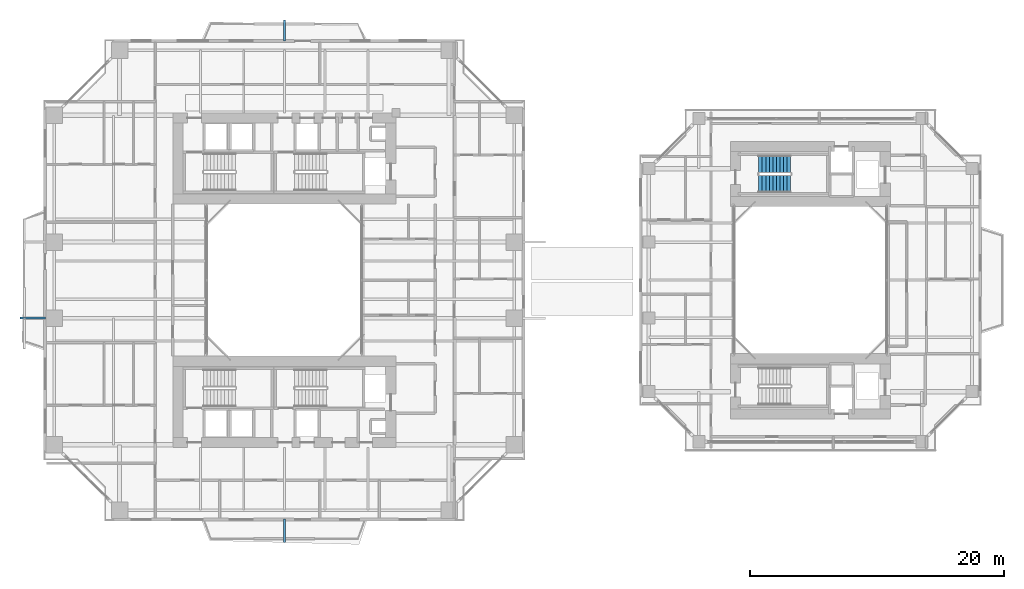
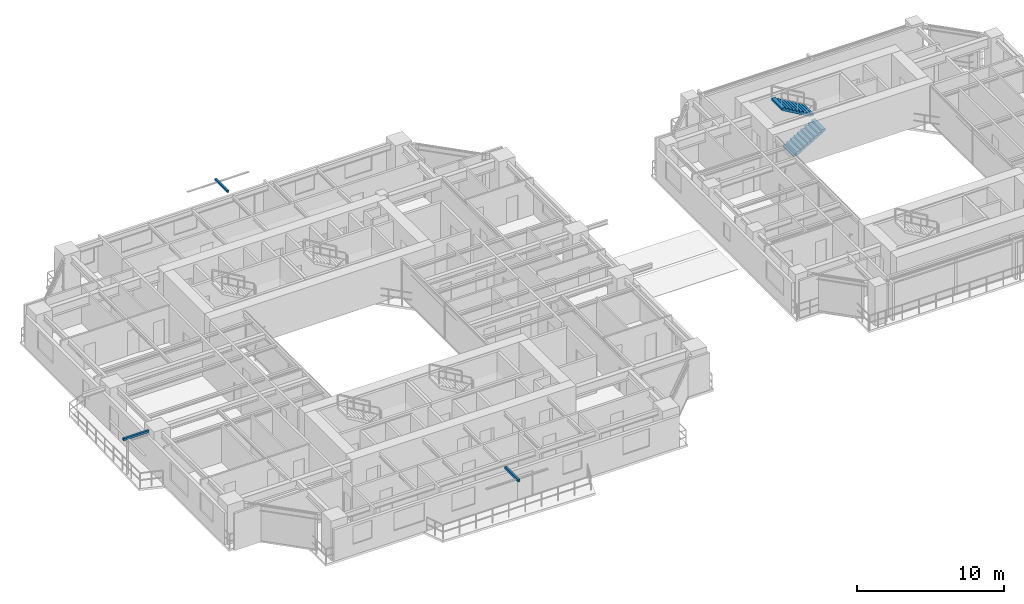
# One storey, part 18 of 23: 3 discrete accessories, 2 stair flights, 1 element without a shape of its own.
"""IFC4 building model written with IfcOpenShell, lengths in metres."""

from ifc_helpers import new_model, si_unit, direction, frame, origin, origin_2d, place, context, subcontext, project, spatial, polyline, rectangle, outline, extrude, source, transform, mapped, material, type_object, element, aggregate, save


model = new_model("IFC4")

# Units and contexts
model_context = context("Model", 3, precision=1e-05, world=origin(), true_north=direction((0.0, 1.0)))
body_context = subcontext(model_context, "Body", "Model", "MODEL_VIEW")
ifc_project = project(units=[si_unit("LENGTHUNIT", "METRE"), si_unit("AREAUNIT", "SQUARE_METRE"), si_unit("VOLUMEUNIT", "CUBIC_METRE"), si_unit("PLANEANGLEUNIT", "RADIAN"), si_unit("MASSUNIT", "GRAM", prefix="KILO"), si_unit("THERMODYNAMICTEMPERATUREUNIT", "KELVIN"), si_unit("POWERUNIT", "WATT")], contexts=[model_context])

# Site, building, storey
site_placement = place(None, origin())
site = spatial("IfcSite", under=ifc_project, at=site_placement, CompositionType="ELEMENT")
building_placement = place(site_placement, origin())
building = spatial("IfcBuilding", under=site, at=building_placement, Name="Qiaomeng Ring Towers", CompositionType="ELEMENT")
storey_placement = place(building_placement, frame((0.0, 0.0, 50.25)))
storey = spatial("IfcBuildingStorey", under=building, at=storey_placement, Name="L13", CompositionType="ELEMENT", Elevation=50.25)

# Stair, stair flights
ifc_material_1 = material(Name="Precast concrete C40", Category="concrete")
stair_type = type_object("IfcStairType", Name="ARC-ST-325", PredefinedType="HALF_TURN_STAIR", material=ifc_material_1)
stair_placement = place(storey_placement, origin())
stair = element("IfcStair", 1, at=stair_placement, inside=storey, type_object=stair_type, Name="L13 Companion North Stair 5", PredefinedType="HALF_TURN_STAIR")
stair_flight_type = type_object("IfcStairFlightType", Name="ARC-ST-325-FL", PredefinedType="STRAIGHT", material=ifc_material_1)
shared_shape_1 = source(origin(), body_context, "Body", "SweptSolid", [
    extrude(outline(polyline([(0.0, 0.0), (0.0, 0.16259765625), (0.280029296875, 0.16259765625), (0.280029296875, 0.324951171875), (0.56005859375, 0.324951171875), (0.56005859375, 0.487548828125), (0.840087890625, 0.487548828125), (0.840087890625, 0.64990234375), (1.1201171875, 0.64990234375), (1.1201171875, 0.8125), (1.39990234375, 0.8125), (1.39990234375, 0.97509765625), (1.679931640625, 0.97509765625), (1.679931640625, 1.137451171875), (1.9599609375, 1.137451171875), (1.9599609375, 1.300048828125), (2.239990234375, 1.300048828125), (2.239990234375, 1.46240234375), (2.52001953125, 1.46240234375), (2.52001953125, 1.625), (2.52001953125, 1.2890625), (0.298583984375, 0.0), (0.0, 0.0)])), frame((0.0, 0.699951171875, 0.0), z_axis=(0.0, -1.0, 0.0), x_axis=(1.0, 0.0, 0.0)), (0.0, 0.0, 1.0), 1.39990234375),
])
stair_flight_1_placement = place(storey_placement, frame((56.419921875, 30.60009765625, 0.0), z_axis=(0.0, 0.0, 1.0), x_axis=(1.0, 0.0, 0.0)))
stair_flight_1 = element("IfcStairFlight", 2, at=stair_flight_1_placement, type_object=stair_flight_type, Name="ST5 flight 1", NumberOfRisers=10, NumberOfTreads=9, PredefinedType="STRAIGHT", RiserHeight=0.1625, TreadLength=0.28, context=body_context, shape_type="MappedRepresentation", body=[
    mapped(shared_shape_1, transform((0.0, 0.0, 0.0), x_axis=(1.0, 0.0, 0.0), y_axis=(0.0, 1.0, 0.0), z_axis=(0.0, 0.0, 1.0), scale=1.0)),
])
stair_flight_2_placement = place(storey_placement, frame((58.93994140625, 32.139892578125, 1.625), z_axis=(0.0, 0.0, 1.0), x_axis=(-1.0, 0.0, 0.0)))
stair_flight_2 = element("IfcStairFlight", 3, at=stair_flight_2_placement, type_object=stair_flight_type, Name="ST5 flight 2", NumberOfRisers=10, NumberOfTreads=9, PredefinedType="STRAIGHT", RiserHeight=0.1625, TreadLength=0.28, context=body_context, shape_type="MappedRepresentation", body=[
    mapped(shared_shape_1, transform((0.0, 0.0, 0.0), x_axis=(1.0, 0.0, 0.0), y_axis=(0.0, 1.0, 0.0), z_axis=(0.0, 0.0, 1.0), scale=1.0)),
])
aggregate(stair, [stair_flight_1, stair_flight_2])

# Discrete accessories
ifc_material_2 = material(Name="Stainless steel 316", Category="steel")
discrete_accessory_type = type_object("IfcDiscreteAccessoryType", Name="ARC-ACC-BRACKET", PredefinedType="BRACKET", material=ifc_material_2)
shared_shape_2 = source(origin(), body_context, "Body", "SweptSolid", [
    extrude(rectangle(XDim=0.159912109375, YDim=1.85009765625, at=origin_2d()), origin(), (0.0, 0.0, 1.0), 0.179931640625),
])
discrete_accessory_1_placement = place(storey_placement, frame((19.0, 3.22509765625, 2.89990234375), z_axis=(0.0, 0.0, 1.0), x_axis=(1.0, 0.0, 0.0)))
element("IfcDiscreteAccessory", 4, at=discrete_accessory_1_placement, inside=storey, type_object=discrete_accessory_type, Name="L13 Stainless Outer-Skin Tie Bracket S", PredefinedType="BRACKET", context=body_context, shape_type="MappedRepresentation", body=[
    mapped(shared_shape_2, transform((0.0, 0.0, 0.0), x_axis=(1.0, 0.0, 0.0), y_axis=(0.0, 1.0, 0.0), z_axis=(0.0, 0.0, 1.0), scale=1.0)),
])
shared_shape_3 = source(origin(), body_context, "Body", "SweptSolid", [
    extrude(rectangle(XDim=0.159912109375, YDim=1.669921875, at=origin_2d()), origin(), (0.0, 0.0, 1.0), 0.179931640625),
])
discrete_accessory_2_placement = place(storey_placement, frame((19.0, 42.68505859375, 2.89990234375), z_axis=(0.0, 0.0, 1.0), x_axis=(1.0, 0.0, 0.0)))
element("IfcDiscreteAccessory", 5, at=discrete_accessory_2_placement, inside=storey, type_object=discrete_accessory_type, Name="L13 Stainless Outer-Skin Tie Bracket N", PredefinedType="BRACKET", context=body_context, shape_type="MappedRepresentation", body=[
    mapped(shared_shape_3, transform((0.0, 0.0, 0.0), x_axis=(1.0, 0.0, 0.0), y_axis=(0.0, 1.0, 0.0), z_axis=(0.0, 0.0, 1.0), scale=1.0)),
])
shared_shape_4 = source(origin(), body_context, "Body", "SweptSolid", [
    extrude(rectangle(XDim=2.0, YDim=0.159912109375, at=origin_2d()), origin(), (0.0, 0.0, 1.0), 0.179931640625),
])
discrete_accessory_3_placement = place(storey_placement, frame((-0.85009765625, 20.0, 2.89990234375), z_axis=(0.0, 0.0, 1.0), x_axis=(1.0, 0.0, 0.0)))
element("IfcDiscreteAccessory", 6, at=discrete_accessory_3_placement, inside=storey, type_object=discrete_accessory_type, Name="L13 Stainless Outer-Skin Tie Bracket W", PredefinedType="BRACKET", context=body_context, shape_type="MappedRepresentation", body=[
    mapped(shared_shape_4, transform((0.0, 0.0, 0.0), x_axis=(1.0, 0.0, 0.0), y_axis=(0.0, 1.0, 0.0), z_axis=(0.0, 0.0, 1.0), scale=1.0)),
])

save(model, "model.ifc")
